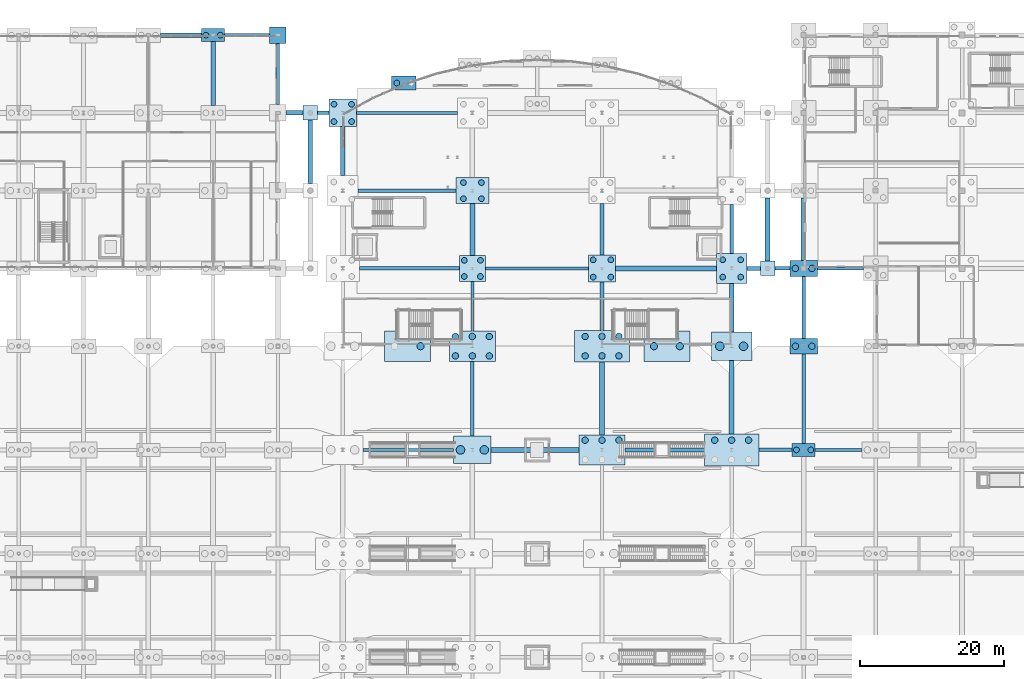
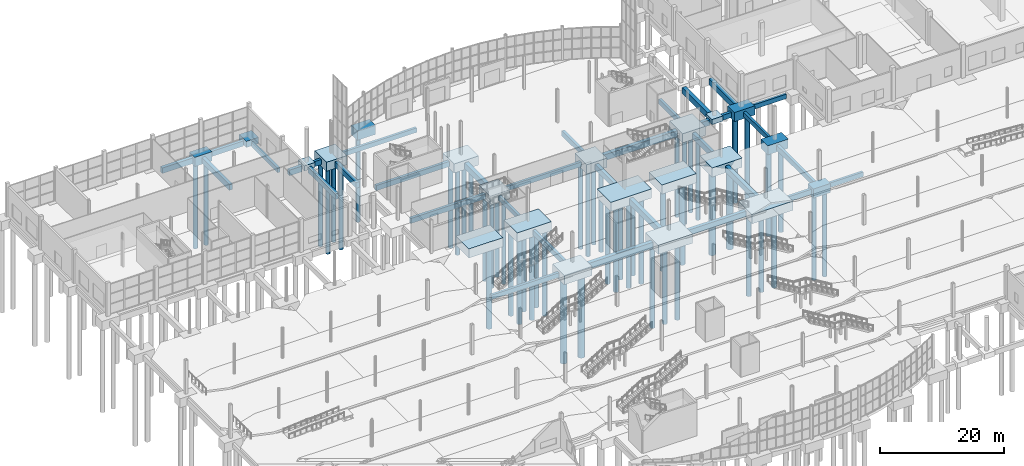
# One storey, part 5 of 115: 55 footings, 54 piles.
"""IFC4 building model written with IfcOpenShell, lengths in metres."""

from ifc_helpers import new_model, si_unit, direction, frame, origin, origin_2d, place, context, subcontext, project, spatial, rectangle, circle, extrude, material, material_profile, profile_set, type_object, element, save


model = new_model("IFC4")

# Units and contexts
model_context = context("Model", 3, precision=1e-05, world=origin(), true_north=direction((0.0, 1.0)))
body_context = subcontext(model_context, "Body", "Model", "MODEL_VIEW")
ifc_project = project(units=[si_unit("LENGTHUNIT", "METRE"), si_unit("AREAUNIT", "SQUARE_METRE"), si_unit("VOLUMEUNIT", "CUBIC_METRE"), si_unit("PLANEANGLEUNIT", "RADIAN"), si_unit("MASSUNIT", "GRAM", prefix="KILO")], contexts=[model_context])

# Site, building, storey
site_placement = place(None, origin())
site = spatial("IfcSite", under=ifc_project, at=site_placement, CompositionType="ELEMENT")
building_placement = place(site_placement, origin())
building = spatial("IfcBuilding", under=site, at=building_placement, Name="Tamarisk Ironworks Central Station", CompositionType="ELEMENT")
storey_placement = place(building_placement, origin())
storey = spatial("IfcBuildingStorey", under=building, at=storey_placement, Name="L00", CompositionType="ELEMENT", Elevation=0.0)

# Footings
ifc_material = material(Name="Concrete C40/50", Category="concrete")
footing_type_1 = type_object("IfcFootingType", Name="CAP-PC01", PredefinedType="PILE_CAP", material=ifc_material)
footing_1_placement = place(storey_placement, frame((72.0, 64.800048828125, -1.7998046875), z_axis=(0.0, 0.0, 1.0), x_axis=(1.0, 0.0, 0.0)))
element("IfcFooting", 1, at=footing_1_placement, inside=storey, type_object=footing_type_1, Name="Pile cap V2-09F", PredefinedType="PILE_CAP", context=body_context, shape_type="SweptSolid", body=[
    extrude(rectangle(XDim=5.199951171875, YDim=3.800048828125, at=origin_2d()), origin(), (0.0, 0.0, 1.0), 1.800048828125),
])
footing_type_2 = type_object("IfcFootingType", Name="CAP-PC02", PredefinedType="PILE_CAP", material=ifc_material)
footing_2_placement = place(storey_placement, frame((72.0, 100.800048828125, -1.7998046875), z_axis=(0.0, 0.0, 1.0), x_axis=(1.0, 0.0, 0.0)))
element("IfcFooting", 2, at=footing_2_placement, inside=storey, type_object=footing_type_2, Name="Pile cap V2-09J", PredefinedType="PILE_CAP", context=body_context, shape_type="SweptSolid", body=[
    extrude(rectangle(XDim=4.60009765625, YDim=3.60009765625, at=origin_2d()), origin(), (0.0, 0.0, 1.0), 1.800048828125),
])
footing_type_3 = type_object("IfcFootingType", Name="CAP-PC03", PredefinedType="PILE_CAP", material=ifc_material)
footing_3_placement = place(storey_placement, frame((108.0, 90.0, -1.7998046875), z_axis=(0.0, 0.0, 1.0), x_axis=(1.0, 0.0, 0.0)))
element("IfcFooting", 3, at=footing_3_placement, inside=storey, type_object=footing_type_3, Name="Pile cap V2-14H", PredefinedType="PILE_CAP", context=body_context, shape_type="SweptSolid", body=[
    extrude(rectangle(XDim=4.199951171875, YDim=4.199951171875, at=origin_2d()), origin(), (0.0, 0.0, 1.0), 1.800048828125),
])
footing_type_4 = type_object("IfcFootingType", Name="CAP-PC04", PredefinedType="PILE_CAP", material=ifc_material)
for number, where, z_axis, x_axis, name in (
    (4, (54.0, 111.60009765625, -1.7998046875), (0.0, 0.0, 1.0), (1.0, 0.0, 0.0), "Pile cap V2-07L"),
    (5, (90.0, 90.0, -1.7998046875), (0.0, 0.0, 1.0), (1.0, 0.0, 0.0), "Pile cap V2-12H"),
):
    element("IfcFooting", number, at=place(storey_placement, frame(where, z_axis=z_axis, x_axis=x_axis)), inside=storey, type_object=footing_type_4, Name=name, PredefinedType="PILE_CAP", context=body_context, shape_type="SweptSolid", body=[
        extrude(rectangle(XDim=3.800048828125, YDim=3.800048828125, at=origin_2d()), origin(), (0.0, 0.0, 1.0), 1.800048828125),
    ])
footing_type_5 = type_object("IfcFootingType", Name="CAP-PC05", PredefinedType="PILE_CAP", material=ifc_material)
footing_4_placement = place(storey_placement, frame((72.0, 90.0, -1.7998046875), z_axis=(0.0, 0.0, 1.0), x_axis=(1.0, 0.0, 0.0)))
element("IfcFooting", 6, at=footing_4_placement, inside=storey, type_object=footing_type_5, Name="Pile cap V2-09H", PredefinedType="PILE_CAP", context=body_context, shape_type="SweptSolid", body=[
    extrude(rectangle(XDim=3.60009765625, YDim=3.60009765625, at=origin_2d()), origin(), (0.0, 0.0, 1.0), 1.800048828125),
])
footing_type_6 = type_object("IfcFootingType", Name="CAP-PC07", PredefinedType="PILE_CAP", material=ifc_material)
for number, where, z_axis, x_axis, name in (
    (7, (118.0, 90.0, -1.7998046875), (0.0, 0.0, 1.0), (1.0, 0.0, 0.0), "Pile cap V5-15H"),
    (8, (118.0, 79.199951171875, -1.7998046875), (0.0, 0.0, 1.0), (1.0, 0.0, 0.0), "Pile cap V1-15G"),
):
    element("IfcFooting", number, at=place(storey_placement, frame(where, z_axis=z_axis, x_axis=x_axis)), inside=storey, type_object=footing_type_6, Name=name, PredefinedType="PILE_CAP", context=body_context, shape_type="SweptSolid", body=[
        extrude(rectangle(XDim=3.800048828125, YDim=2.199951171875, at=origin_2d()), origin(), (0.0, 0.0, 1.0), 1.800048828125),
    ])
footing_type_7 = type_object("IfcFootingType", Name="CAP-PC08", PredefinedType="PILE_CAP", material=ifc_material)
footing_5_placement = place(storey_placement, frame((62.48876953125, 115.752685546875, -1.7998046875), z_axis=(0.0, 0.0, 1.0), x_axis=(1.0, 0.0, 0.0)))
element("IfcFooting", 9, at=footing_5_placement, inside=storey, type_object=footing_type_7, Name="Pile cap V2-NN02", PredefinedType="PILE_CAP", context=body_context, shape_type="SweptSolid", body=[
    extrude(rectangle(XDim=3.39990234375, YDim=2.0, at=origin_2d()), origin(), (0.0, 0.0, 1.0), 1.800048828125),
])
footing_type_8 = type_object("IfcFootingType", Name="CAP-PC09", PredefinedType="PILE_CAP", material=ifc_material)
for number, where, z_axis, x_axis, name in (
    (10, (118.0, 64.800048828125, -1.7998046875), (0.0, 0.0, 1.0), (1.0, 0.0, 0.0), "Pile cap V1-15F"),
    (11, (36.0, 122.39990234375, -1.7998046875), (0.0, 0.0, 1.0), (1.0, 0.0, 0.0), "Pile cap V4-05N"),
):
    element("IfcFooting", number, at=place(storey_placement, frame(where, z_axis=z_axis, x_axis=x_axis)), inside=storey, type_object=footing_type_8, Name=name, PredefinedType="PILE_CAP", context=body_context, shape_type="SweptSolid", body=[
        extrude(rectangle(XDim=3.199951171875, YDim=1.800048828125, at=origin_2d()), origin(), (0.0, 0.0, 1.0), 1.800048828125),
    ])
footing_type_9 = type_object("IfcFootingType", Name="CAP-PC10", PredefinedType="PILE_CAP", material=ifc_material)
for number, where, z_axis, x_axis, name in (
    (12, (72.0, 79.199951171875, -1.7998046875), (0.0, 0.0, 1.0), (1.0, 0.0, 0.0), "Pile cap V2-09G"),
    (13, (90.0, 64.800048828125, -1.7998046875), (0.0, 0.0, 1.0), (1.0, 0.0, 0.0), "Pile cap V2-12F"),
    (14, (63.0, 79.199951171875, -1.7998046875), (0.0, 0.0, 1.0), (1.0, 0.0, 0.0), "Bridge abutment pile cap AB3"),
    (15, (99.0, 79.199951171875, -1.7998046875), (0.0, 0.0, 1.0), (1.0, 0.0, 0.0), "Bridge abutment pile cap AB4"),
):
    element("IfcFooting", number, at=place(storey_placement, frame(where, z_axis=z_axis, x_axis=x_axis)), inside=storey, type_object=footing_type_9, Name=name, PredefinedType="PILE_CAP", context=body_context, shape_type="SweptSolid", body=[
        extrude(rectangle(XDim=6.39990234375, YDim=4.199951171875, at=origin_2d()), origin(), (0.0, 0.0, 1.0), 1.800048828125),
    ])
footing_type_10 = type_object("IfcFootingType", Name="CAP-PC11", PredefinedType="PILE_CAP", material=ifc_material)
for number, where, z_axis, x_axis, name in (
    (16, (90.0, 79.199951171875, -1.7998046875), (0.0, 0.0, 1.0), (1.0, 0.0, 0.0), "Pile cap V2-12G"),
    (17, (108.0, 64.800048828125, -1.7998046875), (0.0, 0.0, 1.0), (1.0, 0.0, 0.0), "Pile cap V2-14F"),
):
    element("IfcFooting", number, at=place(storey_placement, frame(where, z_axis=z_axis, x_axis=x_axis)), inside=storey, type_object=footing_type_10, Name=name, PredefinedType="PILE_CAP", context=body_context, shape_type="SweptSolid", body=[
        extrude(rectangle(XDim=7.60009765625, YDim=4.39990234375, at=origin_2d()), origin(), (0.0, 0.0, 1.0), 1.800048828125),
    ])
footing_type_11 = type_object("IfcFootingType", Name="CAP-PC12", PredefinedType="PILE_CAP", material=ifc_material)
footing_6_placement = place(storey_placement, frame((108.0, 79.199951171875, -1.7998046875), z_axis=(0.0, 0.0, 1.0), x_axis=(1.0, 0.0, 0.0)))
element("IfcFooting", 18, at=footing_6_placement, inside=storey, type_object=footing_type_11, Name="Pile cap V2-14G", PredefinedType="PILE_CAP", context=body_context, shape_type="SweptSolid", body=[
    extrude(rectangle(XDim=5.60009765625, YDim=4.0, at=origin_2d()), origin(), (0.0, 0.0, 1.0), 1.800048828125),
])
ifc_material_profile_1 = material_profile(ifc_material, rectangle(XDim=0.699951171875, YDim=1.199951171875, at=origin_2d()), Name="GB01 700x1200")
ifc_profile_set_1 = profile_set([ifc_material_profile_1], Name="Concrete C40/50")
footing_type_12 = type_object("IfcFootingType", Name="GB-01", PredefinedType="FOOTING_BEAM", material=ifc_profile_set_1)
footing_7_placement = place(storey_placement, frame((74.60009765625, 64.800048828125, -1.050048828125), z_axis=(1.0, 0.0, 0.0), x_axis=(0.0, 1.0, 0.0)))
element("IfcFooting", 19, at=footing_7_placement, inside=storey, type_object=footing_type_12, Name="Ground tie beam GB-X-065", PredefinedType="FOOTING_BEAM", context=body_context, shape_type="SweptSolid", body=[
    extrude(rectangle(XDim=0.699951171875, YDim=1.199951171875, at=origin_2d()), origin(), (0.0, 0.0, 1.0), 12.199951171875),
])
footing_8_placement = place(storey_placement, frame((91.89990234375, 90.0, -1.050048828125), z_axis=(1.0, 0.0, 0.0), x_axis=(0.0, 1.0, 0.0)))
element("IfcFooting", 20, at=footing_8_placement, inside=storey, type_object=footing_type_12, Name="Ground tie beam GB-X-081", PredefinedType="FOOTING_BEAM", context=body_context, shape_type="SweptSolid", body=[
    extrude(rectangle(XDim=0.699951171875, YDim=1.199951171875, at=origin_2d()), origin(), (0.0, 0.0, 1.0), 14.0),
])
footing_9_placement = place(storey_placement, frame((72.0, 91.800048828125, -1.050048828125), z_axis=(0.0, 1.0, 0.0), x_axis=(-1.0, 0.0, 0.0)))
element("IfcFooting", 21, at=footing_9_placement, inside=storey, type_object=footing_type_12, Name="Ground tie beam GB-Y-209", PredefinedType="FOOTING_BEAM", context=body_context, shape_type="SweptSolid", body=[
    extrude(rectangle(XDim=0.699951171875, YDim=1.199951171875, at=origin_2d()), origin(), (0.0, 0.0, 1.0), 7.199951171875),
])
footing_10_placement = place(storey_placement, frame((90.0, 66.89990234375, -1.050048828125), z_axis=(0.0, 1.0, 0.0), x_axis=(-1.0, 0.0, 0.0)))
element("IfcFooting", 22, at=footing_10_placement, inside=storey, type_object=footing_type_12, Name="Ground tie beam GB-Y-217", PredefinedType="FOOTING_BEAM", context=body_context, shape_type="SweptSolid", body=[
    extrude(rectangle(XDim=0.699951171875, YDim=1.199951171875, at=origin_2d()), origin(), (0.0, 0.0, 1.0), 10.10009765625),
])
footing_11_placement = place(storey_placement, frame((108.0, 67.0, -1.050048828125), z_axis=(0.0, 1.0, 0.0), x_axis=(-1.0, 0.0, 0.0)))
element("IfcFooting", 23, at=footing_11_placement, inside=storey, type_object=footing_type_12, Name="Ground tie beam GB-Y-225", PredefinedType="FOOTING_BEAM", context=body_context, shape_type="SweptSolid", body=[
    extrude(rectangle(XDim=0.699951171875, YDim=1.199951171875, at=origin_2d()), origin(), (0.0, 0.0, 1.0), 10.199951171875),
])
footing_12_placement = place(storey_placement, frame((113.0, 91.0, -1.050048828125), z_axis=(0.0, 1.0, 0.0), x_axis=(-1.0, 0.0, 0.0)))
element("IfcFooting", 24, at=footing_12_placement, inside=storey, type_object=footing_type_12, Name="Ground tie beam GB-Y-229", PredefinedType="FOOTING_BEAM", context=body_context, shape_type="SweptSolid", body=[
    extrude(rectangle(XDim=0.699951171875, YDim=1.199951171875, at=origin_2d()), origin(), (0.0, 0.0, 1.0), 8.800048828125),
])
footing_13_placement = place(storey_placement, frame((118.0, 91.10009765625, -1.050048828125), z_axis=(0.0, 1.0, 0.0), x_axis=(-1.0, 0.0, 0.0)))
element("IfcFooting", 25, at=footing_13_placement, inside=storey, type_object=footing_type_12, Name="Ground tie beam GB-Y-237", PredefinedType="FOOTING_BEAM", context=body_context, shape_type="SweptSolid", body=[
    extrude(rectangle(XDim=0.699951171875, YDim=1.199951171875, at=origin_2d()), origin(), (0.0, 0.0, 1.0), 8.699951171875),
])
ifc_material_profile_2 = material_profile(ifc_material, rectangle(XDim=0.60009765625, YDim=1.10009765625, at=origin_2d()), Name="GB02 600x1100")
ifc_profile_set_2 = profile_set([ifc_material_profile_2], Name="Concrete C40/50")
footing_type_13 = type_object("IfcFootingType", Name="GB-02", PredefinedType="FOOTING_BEAM", material=ifc_profile_set_2)
footing_14_placement = place(storey_placement, frame((93.199951171875, 64.800048828125, -1.0), z_axis=(1.0, 0.0, 0.0), x_axis=(0.0, 1.0, 0.0)))
element("IfcFooting", 26, at=footing_14_placement, inside=storey, type_object=footing_type_13, Name="Ground tie beam GB-X-066", PredefinedType="FOOTING_BEAM", context=body_context, shape_type="SweptSolid", body=[
    extrude(rectangle(XDim=0.60009765625, YDim=1.10009765625, at=origin_2d()), origin(), (0.0, 0.0, 1.0), 11.0),
])
footing_15_placement = place(storey_placement, frame((110.10009765625, 90.0, -1.0), z_axis=(1.0, 0.0, 0.0), x_axis=(0.0, 1.0, 0.0)))
element("IfcFooting", 27, at=footing_15_placement, inside=storey, type_object=footing_type_13, Name="Ground tie beam GB-X-082", PredefinedType="FOOTING_BEAM", context=body_context, shape_type="SweptSolid", body=[
    extrude(rectangle(XDim=0.60009765625, YDim=1.10009765625, at=origin_2d()), origin(), (0.0, 0.0, 1.0), 1.89990234375),
])
footing_16_placement = place(storey_placement, frame((46.14990234375, 111.60009765625, -1.0), z_axis=(1.0, 0.0, 0.0), x_axis=(0.0, 1.0, 0.0)))
element("IfcFooting", 28, at=footing_16_placement, inside=storey, type_object=footing_type_13, Name="Ground tie beam GB-X-110", PredefinedType="FOOTING_BEAM", context=body_context, shape_type="SweptSolid", body=[
    extrude(rectangle(XDim=0.60009765625, YDim=1.10009765625, at=origin_2d()), origin(), (0.0, 0.0, 1.0), 2.35009765625),
])
footing_17_placement = place(storey_placement, frame((28.699951171875, 122.39990234375, -1.0), z_axis=(1.0, 0.0, 0.0), x_axis=(0.0, 1.0, 0.0)))
element("IfcFooting", 29, at=footing_17_placement, inside=storey, type_object=footing_type_13, Name="Ground tie beam GB-X-126", PredefinedType="FOOTING_BEAM", context=body_context, shape_type="SweptSolid", body=[
    extrude(rectangle(XDim=0.60009765625, YDim=1.10009765625, at=origin_2d()), origin(), (0.0, 0.0, 1.0), 5.699951171875),
])
footing_18_placement = place(storey_placement, frame((36.0, 112.60009765625, -1.0), z_axis=(0.0, 1.0, 0.0), x_axis=(-1.0, 0.0, 0.0)))
element("IfcFooting", 30, at=footing_18_placement, inside=storey, type_object=footing_type_13, Name="Ground tie beam GB-Y-182", PredefinedType="FOOTING_BEAM", context=body_context, shape_type="SweptSolid", body=[
    extrude(rectangle(XDim=0.60009765625, YDim=1.10009765625, at=origin_2d()), origin(), (0.0, 0.0, 1.0), 8.89990234375),
])
footing_19_placement = place(storey_placement, frame((49.5, 101.800048828125, -1.0), z_axis=(0.0, 1.0, 0.0), x_axis=(-1.0, 0.0, 0.0)))
element("IfcFooting", 31, at=footing_19_placement, inside=storey, type_object=footing_type_13, Name="Ground tie beam GB-Y-194", PredefinedType="FOOTING_BEAM", context=body_context, shape_type="SweptSolid", body=[
    extrude(rectangle(XDim=0.60009765625, YDim=1.10009765625, at=origin_2d()), origin(), (0.0, 0.0, 1.0), 8.800048828125),
])
footing_20_placement = place(storey_placement, frame((54.0, 102.89990234375, -1.0), z_axis=(0.0, 1.0, 0.0), x_axis=(-1.0, 0.0, 0.0)))
element("IfcFooting", 32, at=footing_20_placement, inside=storey, type_object=footing_type_13, Name="Ground tie beam GB-Y-202", PredefinedType="FOOTING_BEAM", context=body_context, shape_type="SweptSolid", body=[
    extrude(rectangle(XDim=0.60009765625, YDim=1.10009765625, at=origin_2d()), origin(), (0.0, 0.0, 1.0), 6.800048828125),
])
footing_21_placement = place(storey_placement, frame((90.0, 81.39990234375, -1.0), z_axis=(0.0, 1.0, 0.0), x_axis=(-1.0, 0.0, 0.0)))
element("IfcFooting", 33, at=footing_21_placement, inside=storey, type_object=footing_type_13, Name="Ground tie beam GB-Y-218", PredefinedType="FOOTING_BEAM", context=body_context, shape_type="SweptSolid", body=[
    extrude(rectangle(XDim=0.60009765625, YDim=1.10009765625, at=origin_2d()), origin(), (0.0, 0.0, 1.0), 6.7001953125),
])
footing_22_placement = place(storey_placement, frame((108.0, 81.199951171875, -1.0), z_axis=(0.0, 1.0, 0.0), x_axis=(-1.0, 0.0, 0.0)))
element("IfcFooting", 34, at=footing_22_placement, inside=storey, type_object=footing_type_13, Name="Ground tie beam GB-Y-226", PredefinedType="FOOTING_BEAM", context=body_context, shape_type="SweptSolid", body=[
    extrude(rectangle(XDim=0.60009765625, YDim=1.10009765625, at=origin_2d()), origin(), (0.0, 0.0, 1.0), 6.699951171875),
])
ifc_material_profile_3 = material_profile(ifc_material, rectangle(XDim=0.5, YDim=1.0, at=origin_2d()), Name="GB03 500x1000")
ifc_profile_set_3 = profile_set([ifc_material_profile_3], Name="Concrete C40/50")
footing_type_14 = type_object("IfcFootingType", Name="GB-03", PredefinedType="FOOTING_BEAM", material=ifc_profile_set_3)
footing_23_placement = place(storey_placement, frame((111.800048828125, 64.800048828125, -0.949951171875), z_axis=(1.0, 0.0, 0.0), x_axis=(0.0, 1.0, 0.0)))
element("IfcFooting", 35, at=footing_23_placement, inside=storey, type_object=footing_type_14, Name="Ground tie beam GB-X-067", PredefinedType="FOOTING_BEAM", context=body_context, shape_type="SweptSolid", body=[
    extrude(rectangle(XDim=0.5, YDim=1.0, at=origin_2d()), origin(), (0.0, 0.0, 1.0), 4.599853515625),
])
footing_24_placement = place(storey_placement, frame((56.300048828125, 90.0, -0.949951171875), z_axis=(1.0, 0.0, 0.0), x_axis=(0.0, 1.0, 0.0)))
element("IfcFooting", 36, at=footing_24_placement, inside=storey, type_object=footing_type_14, Name="Ground tie beam GB-X-079", PredefinedType="FOOTING_BEAM", context=body_context, shape_type="SweptSolid", body=[
    extrude(rectangle(XDim=0.5, YDim=1.0, at=origin_2d()), origin(), (0.0, 0.0, 1.0), 13.89990234375),
])
footing_25_placement = place(storey_placement, frame((114.0, 90.0, -0.949951171875), z_axis=(1.0, 0.0, 0.0), x_axis=(0.0, 1.0, 0.0)))
element("IfcFooting", 37, at=footing_25_placement, inside=storey, type_object=footing_type_14, Name="Ground tie beam GB-X-083", PredefinedType="FOOTING_BEAM", context=body_context, shape_type="SweptSolid", body=[
    extrude(rectangle(XDim=0.5, YDim=1.0, at=origin_2d()), origin(), (0.0, 0.0, 1.0), 2.10009765625),
])
footing_26_placement = place(storey_placement, frame((56.10009765625, 100.800048828125, -0.949951171875), z_axis=(1.0, 0.0, 0.0), x_axis=(0.0, 1.0, 0.0)))
element("IfcFooting", 38, at=footing_26_placement, inside=storey, type_object=footing_type_14, Name="Ground tie beam GB-X-095", PredefinedType="FOOTING_BEAM", context=body_context, shape_type="SweptSolid", body=[
    extrude(rectangle(XDim=0.5, YDim=1.0, at=origin_2d()), origin(), (0.0, 0.0, 1.0), 13.599853515625),
])
footing_27_placement = place(storey_placement, frame((50.5, 111.60009765625, -0.949951171875), z_axis=(1.0, 0.0, 0.0), x_axis=(0.0, 1.0, 0.0)))
element("IfcFooting", 39, at=footing_27_placement, inside=storey, type_object=footing_type_14, Name="Ground tie beam GB-X-111", PredefinedType="FOOTING_BEAM", context=body_context, shape_type="SweptSolid", body=[
    extrude(rectangle(XDim=0.5, YDim=1.0, at=origin_2d()), origin(), (0.0, 0.0, 1.0), 1.60009765625),
])
footing_28_placement = place(storey_placement, frame((37.60009765625, 122.39990234375, -0.949951171875), z_axis=(1.0, 0.0, 0.0), x_axis=(0.0, 1.0, 0.0)))
element("IfcFooting", 40, at=footing_28_placement, inside=storey, type_object=footing_type_14, Name="Ground tie beam GB-X-127", PredefinedType="FOOTING_BEAM", context=body_context, shape_type="SweptSolid", body=[
    extrude(rectangle(XDim=0.5, YDim=1.0, at=origin_2d()), origin(), (0.0, 0.0, 1.0), 6.25),
])
footing_29_placement = place(storey_placement, frame((72.0, 66.699951171875, -0.949951171875), z_axis=(0.0, 1.0, 0.0), x_axis=(-1.0, 0.0, 0.0)))
element("IfcFooting", 41, at=footing_29_placement, inside=storey, type_object=footing_type_14, Name="Ground tie beam GB-Y-207", PredefinedType="FOOTING_BEAM", context=body_context, shape_type="SweptSolid", body=[
    extrude(rectangle(XDim=0.5, YDim=1.0, at=origin_2d()), origin(), (0.0, 0.0, 1.0), 10.400146484375),
])
footing_30_placement = place(storey_placement, frame((90.0, 91.89990234375, -0.949951171875), z_axis=(0.0, 1.0, 0.0), x_axis=(-1.0, 0.0, 0.0)))
element("IfcFooting", 42, at=footing_30_placement, inside=storey, type_object=footing_type_14, Name="Ground tie beam GB-Y-219", PredefinedType="FOOTING_BEAM", context=body_context, shape_type="SweptSolid", body=[
    extrude(rectangle(XDim=0.5, YDim=1.0, at=origin_2d()), origin(), (0.0, 0.0, 1.0), 7.10009765625),
])
footing_31_placement = place(storey_placement, frame((108.0, 92.10009765625, -0.949951171875), z_axis=(0.0, 1.0, 0.0), x_axis=(-1.0, 0.0, 0.0)))
element("IfcFooting", 43, at=footing_31_placement, inside=storey, type_object=footing_type_14, Name="Ground tie beam GB-Y-227", PredefinedType="FOOTING_BEAM", context=body_context, shape_type="SweptSolid", body=[
    extrude(rectangle(XDim=0.5, YDim=1.0, at=origin_2d()), origin(), (0.0, 0.0, 1.0), 6.7998046875),
])
footing_32_placement = place(storey_placement, frame((118.0, 65.699951171875, -0.949951171875), z_axis=(0.0, 1.0, 0.0), x_axis=(-1.0, 0.0, 0.0)))
element("IfcFooting", 44, at=footing_32_placement, inside=storey, type_object=footing_type_14, Name="Ground tie beam GB-Y-235", PredefinedType="FOOTING_BEAM", context=body_context, shape_type="SweptSolid", body=[
    extrude(rectangle(XDim=0.5, YDim=1.0, at=origin_2d()), origin(), (0.0, 0.0, 1.0), 12.400146484375),
])
ifc_material_profile_4 = material_profile(ifc_material, rectangle(XDim=0.449951171875, YDim=0.89990234375, at=origin_2d()), Name="GB04 450x900")
ifc_profile_set_4 = profile_set([ifc_material_profile_4], Name="Concrete C40/50")
footing_type_15 = type_object("IfcFootingType", Name="GB-04", PredefinedType="FOOTING_BEAM", material=ifc_profile_set_4)
footing_33_placement = place(storey_placement, frame((56.800048828125, 64.800048828125, -0.89990234375), z_axis=(1.0, 0.0, 0.0), x_axis=(0.0, 1.0, 0.0)))
element("IfcFooting", 45, at=footing_33_placement, inside=storey, type_object=footing_type_15, Name="Ground tie beam GB-X-064", PredefinedType="FOOTING_BEAM", context=body_context, shape_type="SweptSolid", body=[
    extrude(rectangle(XDim=0.449951171875, YDim=0.89990234375, at=origin_2d()), origin(), (0.0, 0.0, 1.0), 12.599853515625),
])
footing_34_placement = place(storey_placement, frame((119.60009765625, 64.800048828125, -0.89990234375), z_axis=(1.0, 0.0, 0.0), x_axis=(0.0, 1.0, 0.0)))
element("IfcFooting", 46, at=footing_34_placement, inside=storey, type_object=footing_type_15, Name="Ground tie beam GB-X-068", PredefinedType="FOOTING_BEAM", context=body_context, shape_type="SweptSolid", body=[
    extrude(rectangle(XDim=0.449951171875, YDim=0.89990234375, at=origin_2d()), origin(), (0.0, 0.0, 1.0), 6.5),
])
footing_35_placement = place(storey_placement, frame((73.800048828125, 90.0, -0.89990234375), z_axis=(1.0, 0.0, 0.0), x_axis=(0.0, 1.0, 0.0)))
element("IfcFooting", 47, at=footing_35_placement, inside=storey, type_object=footing_type_15, Name="Ground tie beam GB-X-080", PredefinedType="FOOTING_BEAM", context=body_context, shape_type="SweptSolid", body=[
    extrude(rectangle(XDim=0.449951171875, YDim=0.89990234375, at=origin_2d()), origin(), (0.0, 0.0, 1.0), 14.300048828125),
])
footing_36_placement = place(storey_placement, frame((119.89990234375, 90.0, -0.89990234375), z_axis=(1.0, 0.0, 0.0), x_axis=(0.0, 1.0, 0.0)))
element("IfcFooting", 48, at=footing_36_placement, inside=storey, type_object=footing_type_15, Name="Ground tie beam GB-X-084", PredefinedType="FOOTING_BEAM", context=body_context, shape_type="SweptSolid", body=[
    extrude(rectangle(XDim=0.449951171875, YDim=0.89990234375, at=origin_2d()), origin(), (0.0, 0.0, 1.0), 6.400146484375),
])
footing_37_placement = place(storey_placement, frame((55.89990234375, 111.60009765625, -0.89990234375), z_axis=(1.0, 0.0, 0.0), x_axis=(0.0, 1.0, 0.0)))
element("IfcFooting", 49, at=footing_37_placement, inside=storey, type_object=footing_type_15, Name="Ground tie beam GB-X-112", PredefinedType="FOOTING_BEAM", context=body_context, shape_type="SweptSolid", body=[
    extrude(rectangle(XDim=0.449951171875, YDim=0.89990234375, at=origin_2d()), origin(), (0.0, 0.0, 1.0), 14.0),
])
footing_38_placement = place(storey_placement, frame((45.0, 112.75, -0.89990234375), z_axis=(0.0, 1.0, 0.0), x_axis=(-1.0, 0.0, 0.0)))
element("IfcFooting", 50, at=footing_38_placement, inside=storey, type_object=footing_type_15, Name="Ground tie beam GB-Y-192", PredefinedType="FOOTING_BEAM", context=body_context, shape_type="SweptSolid", body=[
    extrude(rectangle(XDim=0.449951171875, YDim=0.89990234375, at=origin_2d()), origin(), (0.0, 0.0, 1.0), 8.5),
])
footing_39_placement = place(storey_placement, frame((72.0, 81.300048828125, -0.89990234375), z_axis=(0.0, 1.0, 0.0), x_axis=(-1.0, 0.0, 0.0)))
element("IfcFooting", 51, at=footing_39_placement, inside=storey, type_object=footing_type_15, Name="Ground tie beam GB-Y-208", PredefinedType="FOOTING_BEAM", context=body_context, shape_type="SweptSolid", body=[
    extrude(rectangle(XDim=0.449951171875, YDim=0.89990234375, at=origin_2d()), origin(), (0.0, 0.0, 1.0), 6.89990234375),
])
footing_40_placement = place(storey_placement, frame((118.0, 80.300048828125, -0.89990234375), z_axis=(0.0, 1.0, 0.0), x_axis=(-1.0, 0.0, 0.0)))
element("IfcFooting", 52, at=footing_40_placement, inside=storey, type_object=footing_type_15, Name="Ground tie beam GB-Y-236", PredefinedType="FOOTING_BEAM", context=body_context, shape_type="SweptSolid", body=[
    extrude(rectangle(XDim=0.449951171875, YDim=0.89990234375, at=origin_2d()), origin(), (0.0, 0.0, 1.0), 8.599853515625),
])
footing_type_16 = type_object("IfcFootingType", Name="PAD-PF02", PredefinedType="PAD_FOOTING", material=ifc_material)
footing_41_placement = place(storey_placement, frame((45.0, 122.39990234375, -1.2001953125), z_axis=(0.0, 0.0, 1.0), x_axis=(1.0, 0.0, 0.0)))
element("IfcFooting", 53, at=footing_41_placement, inside=storey, type_object=footing_type_16, Name="Pad footing V4-06N", PredefinedType="PAD_FOOTING", context=body_context, shape_type="SweptSolid", body=[
    extrude(rectangle(XDim=2.300048828125, YDim=2.300048828125, at=origin_2d()), origin(), (0.0, 0.0, 1.0), 1.199951171875),
])
footing_type_17 = type_object("IfcFootingType", Name="PAD-PF03", PredefinedType="PAD_FOOTING", material=ifc_material)
for number, where, z_axis, x_axis, name in (
    (54, (49.5, 111.60009765625, -1.0), (0.0, 0.0, 1.0), (1.0, 0.0, 0.0), "Pad footing CN-W3"),
    (55, (113.0, 90.0, -1.0), (0.0, 0.0, 1.0), (1.0, 0.0, 0.0), "Pad footing CN-E1"),
):
    element("IfcFooting", number, at=place(storey_placement, frame(where, z_axis=z_axis, x_axis=x_axis)), inside=storey, type_object=footing_type_17, Name=name, PredefinedType="PAD_FOOTING", context=body_context, shape_type="SweptSolid", body=[
        extrude(rectangle(XDim=2.0, YDim=2.0, at=origin_2d()), origin(), (0.0, 0.0, 1.0), 1.0),
    ])

# Piles
ifc_material_profile_5 = material_profile(ifc_material, circle(Radius=0.5, at=origin_2d()), Name="BORED PILE D1000")
ifc_profile_set_5 = profile_set([ifc_material_profile_5], Name="Concrete C40/50")
pile_type_1 = type_object("IfcPileType", Name="PILE-D1000", PredefinedType="BORED", material=ifc_profile_set_5)
for number, where, z_axis, x_axis, name in (
    (56, (64.800048828125, 79.199951171875, -1.64990234375), (0.0, 0.0, -1.0), (1.0, 0.0, 0.0), "Bored pile AB3-2"),
    (57, (97.199951171875, 79.199951171875, -1.64990234375), (0.0, 0.0, -1.0), (1.0, 0.0, 0.0), "Bored pile AB4-1"),
    (58, (100.800048828125, 79.199951171875, -1.64990234375), (0.0, 0.0, -1.0), (1.0, 0.0, 0.0), "Bored pile AB4-2"),
):
    element("IfcPile", number, at=place(storey_placement, frame(where, z_axis=z_axis, x_axis=x_axis)), inside=storey, type_object=pile_type_1, Name=name, PredefinedType="BORED", context=body_context, shape_type="SweptSolid", body=[
        extrude(circle(Radius=0.5, at=origin_2d()), origin(), (0.0, 0.0, 1.0), 16.85009765625),
    ])
ifc_material_profile_6 = material_profile(ifc_material, circle(Radius=0.60009765625, at=origin_2d()), Name="BORED PILE D1200")
ifc_profile_set_6 = profile_set([ifc_material_profile_6], Name="Concrete C40/50")
pile_type_2 = type_object("IfcPileType", Name="PILE-D1200", PredefinedType="BORED", material=ifc_profile_set_6)
for number, where, z_axis, x_axis, name in (
    (59, (70.35009765625, 64.800048828125, -1.64990234375), (0.0, 0.0, -1.0), (1.0, 0.0, 0.0), "Bored pile V2-09F-1"),
    (60, (73.64990234375, 64.800048828125, -1.64990234375), (0.0, 0.0, -1.0), (1.0, 0.0, 0.0), "Bored pile V2-09F-2"),
    (61, (106.35009765625, 79.199951171875, -1.64990234375), (0.0, 0.0, -1.0), (1.0, 0.0, 0.0), "Bored pile V2-14G-1"),
    (62, (109.64990234375, 79.199951171875, -1.64990234375), (0.0, 0.0, -1.0), (1.0, 0.0, 0.0), "Bored pile V2-14G-2"),
):
    element("IfcPile", number, at=place(storey_placement, frame(where, z_axis=z_axis, x_axis=x_axis)), inside=storey, type_object=pile_type_2, Name=name, PredefinedType="BORED", context=body_context, shape_type="SweptSolid", body=[
        extrude(circle(Radius=0.60009765625, at=origin_2d()), origin(), (0.0, 0.0, 1.0), 16.85009765625),
    ])
ifc_material_profile_7 = material_profile(ifc_material, circle(Radius=0.39990234375, at=origin_2d()), Name="BORED PILE D800")
ifc_profile_set_7 = profile_set([ifc_material_profile_7], Name="Concrete C40/50")
pile_type_3 = type_object("IfcPileType", Name="PILE-D800", PredefinedType="BORED", material=ifc_profile_set_7)
for number, where, z_axis, x_axis, name in (
    (63, (52.780029296875, 110.39990234375, -1.64990234375), (0.0, 0.0, -1.0), (1.0, 0.0, 0.0), "Bored pile V2-07L-1"),
    (64, (55.219970703125, 110.39990234375, -1.64990234375), (0.0, 0.0, -1.0), (1.0, 0.0, 0.0), "Bored pile V2-07L-2"),
    (65, (52.780029296875, 112.800048828125, -1.64990234375), (0.0, 0.0, -1.0), (1.0, 0.0, 0.0), "Bored pile V2-07L-3"),
    (66, (55.219970703125, 112.800048828125, -1.64990234375), (0.0, 0.0, -1.0), (1.0, 0.0, 0.0), "Bored pile V2-07L-4"),
    (67, (70.8798828125, 88.8798828125, -1.64990234375), (0.0, 0.0, -1.0), (1.0, 0.0, 0.0), "Bored pile V2-09H-1"),
    (68, (73.1201171875, 88.8798828125, -1.64990234375), (0.0, 0.0, -1.0), (1.0, 0.0, 0.0), "Bored pile V2-09H-2"),
    (69, (70.8798828125, 91.1201171875, -1.64990234375), (0.0, 0.0, -1.0), (1.0, 0.0, 0.0), "Bored pile V2-09H-3"),
    (70, (73.1201171875, 91.1201171875, -1.64990234375), (0.0, 0.0, -1.0), (1.0, 0.0, 0.0), "Bored pile V2-09H-4"),
    (71, (70.75, 99.679931640625, -1.64990234375), (0.0, 0.0, -1.0), (1.0, 0.0, 0.0), "Bored pile V2-09J-1"),
    (72, (73.25, 99.679931640625, -1.64990234375), (0.0, 0.0, -1.0), (1.0, 0.0, 0.0), "Bored pile V2-09J-2"),
    (73, (70.75, 101.919921875, -1.64990234375), (0.0, 0.0, -1.0), (1.0, 0.0, 0.0), "Bored pile V2-09J-3"),
    (74, (73.25, 101.919921875, -1.64990234375), (0.0, 0.0, -1.0), (1.0, 0.0, 0.0), "Bored pile V2-09J-4"),
    (75, (88.780029296875, 88.800048828125, -1.64990234375), (0.0, 0.0, -1.0), (1.0, 0.0, 0.0), "Bored pile V2-12H-1"),
    (76, (91.219970703125, 88.800048828125, -1.64990234375), (0.0, 0.0, -1.0), (1.0, 0.0, 0.0), "Bored pile V2-12H-2"),
    (77, (88.780029296875, 91.199951171875, -1.64990234375), (0.0, 0.0, -1.0), (1.0, 0.0, 0.0), "Bored pile V2-12H-3"),
    (78, (91.219970703125, 91.199951171875, -1.64990234375), (0.0, 0.0, -1.0), (1.0, 0.0, 0.0), "Bored pile V2-12H-4"),
    (79, (106.75, 88.800048828125, -1.64990234375), (0.0, 0.0, -1.0), (1.0, 0.0, 0.0), "Bored pile V2-14H-1"),
    (80, (109.25, 88.800048828125, -1.64990234375), (0.0, 0.0, -1.0), (1.0, 0.0, 0.0), "Bored pile V2-14H-2"),
    (81, (106.75, 91.199951171875, -1.64990234375), (0.0, 0.0, -1.0), (1.0, 0.0, 0.0), "Bored pile V2-14H-3"),
    (82, (109.25, 91.199951171875, -1.64990234375), (0.0, 0.0, -1.0), (1.0, 0.0, 0.0), "Bored pile V2-14H-4"),
    (83, (61.48876953125, 115.752685546875, -1.64990234375), (0.0, 0.0, -1.0), (1.0, 0.0, 0.0), "Bored pile V2-NN02-1"),
    (84, (117.0, 64.800048828125, -1.64990234375), (0.0, 0.0, -1.0), (1.0, 0.0, 0.0), "Bored pile V1-15F-1"),
    (85, (119.0, 64.800048828125, -1.64990234375), (0.0, 0.0, -1.0), (1.0, 0.0, 0.0), "Bored pile V1-15F-2"),
    (86, (35.0, 122.39990234375, -1.64990234375), (0.0, 0.0, -1.0), (1.0, 0.0, 0.0), "Bored pile V4-05N-1"),
    (87, (37.0, 122.39990234375, -1.64990234375), (0.0, 0.0, -1.0), (1.0, 0.0, 0.0), "Bored pile V4-05N-2"),
):
    element("IfcPile", number, at=place(storey_placement, frame(where, z_axis=z_axis, x_axis=x_axis)), inside=storey, type_object=pile_type_3, Name=name, PredefinedType="BORED", context=body_context, shape_type="SweptSolid", body=[
        extrude(circle(Radius=0.39990234375, at=origin_2d()), origin(), (0.0, 0.0, 1.0), 16.85009765625),
    ])
ifc_material_profile_8 = material_profile(ifc_material, circle(Radius=0.449951171875, at=origin_2d()), Name="BORED PILE D900")
ifc_profile_set_8 = profile_set([ifc_material_profile_8], Name="Concrete C40/50")
pile_type_4 = type_object("IfcPileType", Name="PILE-D900", PredefinedType="BORED", material=ifc_profile_set_8)
for number, where, z_axis, x_axis, name in (
    (88, (69.64990234375, 77.85009765625, -1.64990234375), (0.0, 0.0, -1.0), (1.0, 0.0, 0.0), "Bored pile V2-09G-1"),
    (89, (72.0, 77.85009765625, -1.64990234375), (0.0, 0.0, -1.0), (1.0, 0.0, 0.0), "Bored pile V2-09G-2"),
    (90, (74.35009765625, 77.85009765625, -1.64990234375), (0.0, 0.0, -1.0), (1.0, 0.0, 0.0), "Bored pile V2-09G-3"),
    (91, (69.64990234375, 80.550048828125, -1.64990234375), (0.0, 0.0, -1.0), (1.0, 0.0, 0.0), "Bored pile V2-09G-4"),
    (92, (72.0, 80.550048828125, -1.64990234375), (0.0, 0.0, -1.0), (1.0, 0.0, 0.0), "Bored pile V2-09G-5"),
    (93, (74.35009765625, 80.550048828125, -1.64990234375), (0.0, 0.0, -1.0), (1.0, 0.0, 0.0), "Bored pile V2-09G-6"),
    (94, (87.64990234375, 66.14990234375, -1.64990234375), (0.0, 0.0, -1.0), (1.0, 0.0, 0.0), "Bored pile V2-12F-4"),
    (95, (90.0, 66.14990234375, -1.64990234375), (0.0, 0.0, -1.0), (1.0, 0.0, 0.0), "Bored pile V2-12F-5"),
    (96, (92.35009765625, 66.14990234375, -1.64990234375), (0.0, 0.0, -1.0), (1.0, 0.0, 0.0), "Bored pile V2-12F-6"),
    (97, (87.64990234375, 77.85009765625, -1.64990234375), (0.0, 0.0, -1.0), (1.0, 0.0, 0.0), "Bored pile V2-12G-1"),
    (98, (90.0, 77.85009765625, -1.64990234375), (0.0, 0.0, -1.0), (1.0, 0.0, 0.0), "Bored pile V2-12G-2"),
    (99, (92.35009765625, 77.85009765625, -1.64990234375), (0.0, 0.0, -1.0), (1.0, 0.0, 0.0), "Bored pile V2-12G-3"),
    (100, (87.64990234375, 80.550048828125, -1.64990234375), (0.0, 0.0, -1.0), (1.0, 0.0, 0.0), "Bored pile V2-12G-4"),
    (101, (90.0, 80.550048828125, -1.64990234375), (0.0, 0.0, -1.0), (1.0, 0.0, 0.0), "Bored pile V2-12G-5"),
    (102, (92.35009765625, 80.550048828125, -1.64990234375), (0.0, 0.0, -1.0), (1.0, 0.0, 0.0), "Bored pile V2-12G-6"),
    (103, (105.64990234375, 66.14990234375, -1.64990234375), (0.0, 0.0, -1.0), (1.0, 0.0, 0.0), "Bored pile V2-14F-4"),
    (104, (108.0, 66.14990234375, -1.64990234375), (0.0, 0.0, -1.0), (1.0, 0.0, 0.0), "Bored pile V2-14F-5"),
    (105, (110.35009765625, 66.14990234375, -1.64990234375), (0.0, 0.0, -1.0), (1.0, 0.0, 0.0), "Bored pile V2-14F-6"),
    (106, (116.85009765625, 90.0, -1.64990234375), (0.0, 0.0, -1.0), (1.0, 0.0, 0.0), "Bored pile V5-15H-1"),
    (107, (119.14990234375, 90.0, -1.64990234375), (0.0, 0.0, -1.0), (1.0, 0.0, 0.0), "Bored pile V5-15H-2"),
    (108, (116.85009765625, 79.199951171875, -1.64990234375), (0.0, 0.0, -1.0), (1.0, 0.0, 0.0), "Bored pile V1-15G-1"),
    (109, (119.14990234375, 79.199951171875, -1.64990234375), (0.0, 0.0, -1.0), (1.0, 0.0, 0.0), "Bored pile V1-15G-2"),
):
    element("IfcPile", number, at=place(storey_placement, frame(where, z_axis=z_axis, x_axis=x_axis)), inside=storey, type_object=pile_type_4, Name=name, PredefinedType="BORED", context=body_context, shape_type="SweptSolid", body=[
        extrude(circle(Radius=0.449951171875, at=origin_2d()), origin(), (0.0, 0.0, 1.0), 16.85009765625),
    ])

save(model, "model.ifc")
